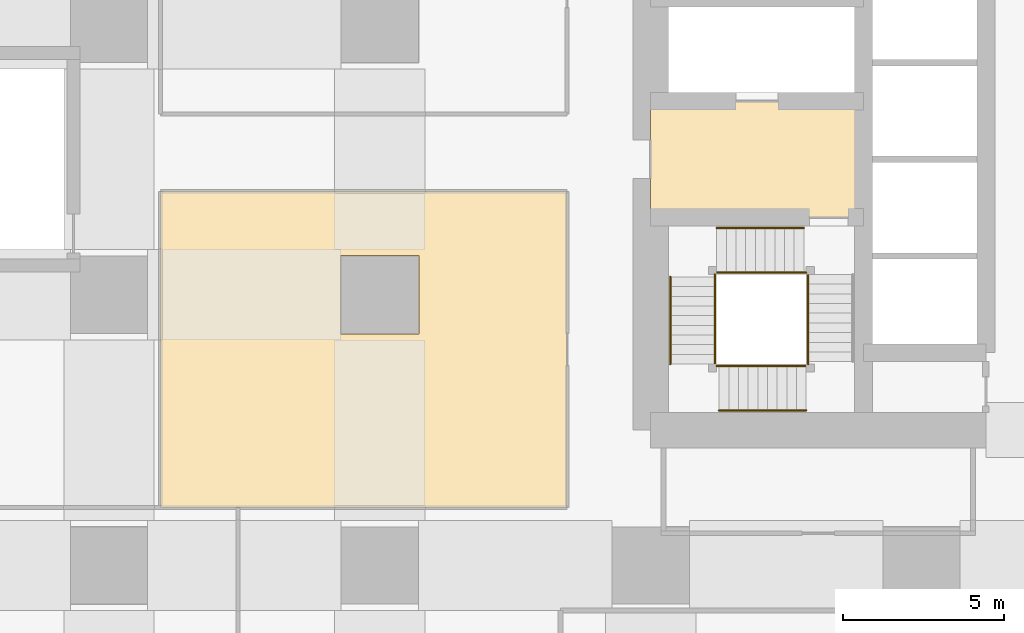
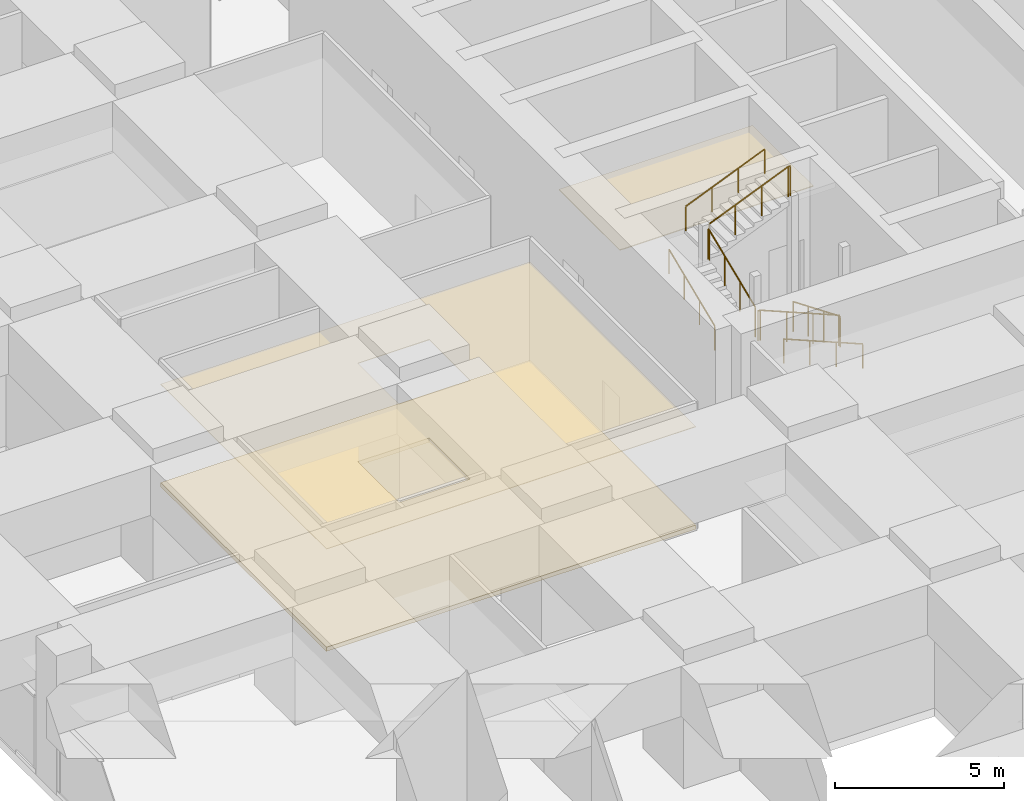
# One storey, part 45 of 52: 11 railings, 3 coverings.
"""IFC4 building model written with IfcOpenShell, lengths in metres."""

from ifc_helpers import new_model, si_unit, direction, frame, origin, origin_2d, place, context, subcontext, project, spatial, polyline, circle, outline, extrude, material, layer, layer_set, type_object, element, save


model = new_model("IFC4")

# Units and contexts
model_context = context("Model", 3, precision=1e-05, world=origin(), true_north=direction((0.0, 1.0)))
body_context = subcontext(model_context, "Body", "Model", "MODEL_VIEW")
ifc_project = project(units=[si_unit("LENGTHUNIT", "METRE"), si_unit("AREAUNIT", "SQUARE_METRE"), si_unit("VOLUMEUNIT", "CUBIC_METRE"), si_unit("PLANEANGLEUNIT", "RADIAN"), si_unit("MASSUNIT", "GRAM", prefix="KILO")], contexts=[model_context])

# Site, building, storey
site_placement = place(None, origin())
site = spatial("IfcSite", under=ifc_project, at=site_placement, CompositionType="ELEMENT")
building_placement = place(site_placement, origin())
building = spatial("IfcBuilding", under=site, at=building_placement, Name="Rekha Terrace Tower", CompositionType="ELEMENT")
storey_placement = place(building_placement, frame((0.0, 0.0, 20.39990234375)))
storey = spatial("IfcBuildingStorey", under=building, at=storey_placement, Name="L04", CompositionType="ELEMENT", Elevation=20.39990234375)

# Coverings
ifc_material_1 = material(Name="Mineral fibre tile in exposed grid", Category="finish")
ifc_layer_1 = layer(ifc_material_1, 0.02001953125)
ifc_layer_set_1 = layer_set([ifc_layer_1], Name="Mineral fibre tile in exposed grid")
covering_type_1 = type_object("IfcCoveringType", Name="CL1 600x1200 office grid ceiling", PredefinedType="CEILING", material=ifc_layer_set_1)
covering_1_placement = place(storey_placement, frame((0.0, 0.0, 3.68017578125)))
element("IfcCovering", 1, at=covering_1_placement, inside=storey, type_object=covering_type_1, Name="Ceiling L04-07", PredefinedType="CEILING", context=body_context, shape_type="SweptSolid", body=[
    extrude(outline(polyline([(22.60009765625, 18.60009765625), (22.60009765625, 28.39990234375), (10.0, 28.39990234375), (10.0, 18.60009765625), (22.60009765625, 18.60009765625)]), holes=[polyline([(15.5849609375, 23.985107421875), (15.5849609375, 26.4150390625), (18.014892578125, 26.4150390625), (18.014892578125, 23.985107421875), (15.5849609375, 23.985107421875)])]), origin(), (0.0, 0.0, 1.0), 0.02001953125),
])
ifc_material_2 = material(Name="Powder-coated aluminium pan", Category="aluminium")
ifc_layer_2 = layer(ifc_material_2, 0.030029296875)
ifc_layer_set_2 = layer_set([ifc_layer_2], Name="Powder-coated aluminium pan")
covering_type_2 = type_object("IfcCoveringType", Name="CL3 300x1200 metal pan ceiling", PredefinedType="CEILING", material=ifc_layer_set_2)
covering_2_placement = place(storey_placement, frame((0.0, 0.0, 3.670166015625)))
element("IfcCovering", 2, at=covering_2_placement, inside=storey, type_object=covering_type_2, Name="Ceiling L04-FLB1", PredefinedType="CEILING", context=body_context, shape_type="SweptSolid", body=[
    extrude(outline(polyline([(31.800048828125, 31.199951171875), (25.199951171875, 31.199951171875), (25.199951171875, 27.60009765625), (31.800048828125, 27.60009765625), (31.800048828125, 31.199951171875)])), origin(), (0.0, 0.0, 1.0), 0.030029296875),
])

# Railings
ifc_material_3 = material(Name="Stainless steel balustrade", Category="steel")
railing_type_1 = type_object("IfcRailingType", Name="GR1 1100 stair guard", PredefinedType="GUARDRAIL", material=ifc_material_3)
railing_1_placement = place(storey_placement, frame((30.0849609375, 25.824951171875, 0.125)))
element("IfcRailing", 3, at=railing_1_placement, inside=storey, type_object=railing_type_1, Name="Guard ST1 L04 flight 1", PredefinedType="GUARDRAIL", context=body_context, shape_type="SweptSolid", body=[
    extrude(circle(Radius=0.02392578125, at=origin_2d()), frame((0.0, 0.0, 1.076171875), z_axis=(0.0, -0.923074453586, 0.384621311341), x_axis=(1.0, 0.0, 0.0)), (0.0, 0.0, 1.0), 2.925048828125),
    extrude(circle(Radius=0.02099609375, at=origin_2d()), origin(), (0.0, 0.0, 1.0), 1.052001953125),
    extrude(circle(Radius=0.02099609375, at=origin_2d()), frame((0.0, -0.89990234375, 0.375)), (0.0, 0.0, 1.0), 1.052001953125),
    extrude(circle(Radius=0.02099609375, at=origin_2d()), frame((0.0, -1.800048828125, 0.75)), (0.0, 0.0, 1.0), 1.052001953125),
    extrude(circle(Radius=0.02099609375, at=origin_2d()), frame((0.0, -2.699951171875, 1.125)), (0.0, 0.0, 1.0), 1.052001953125),
])
railing_2_placement = place(storey_placement, frame((30.02490234375, 22.989990234375, 1.375)))
element("IfcRailing", 4, at=railing_2_placement, inside=storey, type_object=railing_type_1, Name="Guard ST1 L04 flight 2", PredefinedType="GUARDRAIL", context=body_context, shape_type="SweptSolid", body=[
    extrude(circle(Radius=0.02392578125, at=origin_2d()), frame((0.0, 0.0, 1.076171875), z_axis=(-0.923074453586, 0.0, 0.384621311341), x_axis=(0.0, -1.0, 0.0)), (0.0, 0.0, 1.0), 2.925048828125),
    extrude(circle(Radius=0.02099609375, at=origin_2d()), origin(), (0.0, 0.0, 1.0), 1.052001953125),
    extrude(circle(Radius=0.02099609375, at=origin_2d()), frame((-0.89990234375, 0.0, 0.375)), (0.0, 0.0, 1.0), 1.052001953125),
    extrude(circle(Radius=0.02099609375, at=origin_2d()), frame((-1.800048828125, 0.0, 0.75)), (0.0, 0.0, 1.0), 1.052001953125),
    extrude(circle(Radius=0.02099609375, at=origin_2d()), frame((-2.699951171875, 0.0, 1.125)), (0.0, 0.0, 1.0), 1.052001953125),
])
railing_3_placement = place(storey_placement, frame((27.18994140625, 23.050048828125, 2.625)))
element("IfcRailing", 5, at=railing_3_placement, inside=storey, type_object=railing_type_1, Name="Guard ST1 L04 flight 3", PredefinedType="GUARDRAIL", context=body_context, shape_type="SweptSolid", body=[
    extrude(circle(Radius=0.02392578125, at=origin_2d()), frame((0.0, 0.0, 1.076171875), z_axis=(0.0, 0.923074453586, 0.384621311341), x_axis=(-1.0, 0.0, 0.0)), (0.0, 0.0, 1.0), 2.925048828125),
    extrude(circle(Radius=0.02099609375, at=origin_2d()), origin(), (0.0, 0.0, 1.0), 1.052001953125),
    extrude(circle(Radius=0.02099609375, at=origin_2d()), frame((0.0, 0.89990234375, 0.375)), (0.0, 0.0, 1.0), 1.052001953125),
    extrude(circle(Radius=0.02099609375, at=origin_2d()), frame((0.0, 1.800048828125, 0.75)), (0.0, 0.0, 1.0), 1.052001953125),
    extrude(circle(Radius=0.02099609375, at=origin_2d()), frame((0.0, 2.699951171875, 1.125)), (0.0, 0.0, 1.0), 1.052001953125),
])
railing_4_placement = place(storey_placement, frame((27.25, 25.885009765625, 3.875)))
element("IfcRailing", 6, at=railing_4_placement, inside=storey, type_object=railing_type_1, Name="Guard ST1 L04 flight 4", PredefinedType="GUARDRAIL", context=body_context, shape_type="SweptSolid", body=[
    extrude(circle(Radius=0.02392578125, at=origin_2d()), frame((0.0, 0.0, 1.076171875), z_axis=(0.923074453586, 0.0, 0.384621311341), x_axis=(0.0, 1.0, 0.0)), (0.0, 0.0, 1.0), 2.925048828125),
    extrude(circle(Radius=0.02099609375, at=origin_2d()), origin(), (0.0, 0.0, 1.0), 1.052001953125),
    extrude(circle(Radius=0.02099609375, at=origin_2d()), frame((0.89990234375, 0.0, 0.375)), (0.0, 0.0, 1.0), 1.052001953125),
    extrude(circle(Radius=0.02099609375, at=origin_2d()), frame((1.800048828125, 0.0, 0.75)), (0.0, 0.0, 1.0), 1.052001953125),
    extrude(circle(Radius=0.02099609375, at=origin_2d()), frame((2.699951171875, 0.0, 1.125)), (0.0, 0.0, 1.0), 1.052001953125),
])
railing_5_placement = place(storey_placement, frame((30.0849609375, 23.125, 1.25)))
element("IfcRailing", 7, at=railing_5_placement, inside=storey, type_object=railing_type_1, Name="Guard ST1 L04 landing 1", PredefinedType="GUARDRAIL", context=body_context, shape_type="SweptSolid", body=[
    extrude(circle(Radius=0.02392578125, at=origin_2d()), frame((0.0, 0.0, 1.076171875), z_axis=(0.0, -1.0, 0.0), x_axis=(1.0, 0.0, 0.0)), (0.0, 0.0, 1.0), 0.074951171875),
    extrude(circle(Radius=0.02099609375, at=origin_2d()), origin(), (0.0, 0.0, 1.0), 1.052001953125),
    extrude(circle(Radius=0.02099609375, at=origin_2d()), frame((0.0, -0.074951171875, 0.0)), (0.0, 0.0, 1.0), 1.052001953125),
])
railing_6_placement = place(storey_placement, frame((27.324951171875, 22.989990234375, 2.5)))
element("IfcRailing", 8, at=railing_6_placement, inside=storey, type_object=railing_type_1, Name="Guard ST1 L04 landing 2", PredefinedType="GUARDRAIL", context=body_context, shape_type="SweptSolid", body=[
    extrude(circle(Radius=0.02392578125, at=origin_2d()), frame((0.0, 0.0, 1.076171875), z_axis=(-1.0, 0.0, 0.0), x_axis=(0.0, -1.0, 0.0)), (0.0, 0.0, 1.0), 0.074951171875),
    extrude(circle(Radius=0.02099609375, at=origin_2d()), origin(), (0.0, 0.0, 1.0), 1.052001953125),
    extrude(circle(Radius=0.02099609375, at=origin_2d()), frame((-0.074951171875, 0.0, 0.0)), (0.0, 0.0, 1.0), 1.052001953125),
])
railing_7_placement = place(storey_placement, frame((27.18994140625, 25.824951171875, 3.75)))
element("IfcRailing", 9, at=railing_7_placement, inside=storey, type_object=railing_type_1, Name="Guard ST1 L04 landing 3", PredefinedType="GUARDRAIL", context=body_context, shape_type="SweptSolid", body=[
    extrude(circle(Radius=0.02392578125, at=origin_2d()), frame((0.0, 0.0, 1.076171875), z_axis=(0.0, -1.0, 0.0), x_axis=(1.0, 0.0, 0.0)), (0.0, 0.0, 1.0), 0.074951171875),
    extrude(circle(Radius=0.02099609375, at=origin_2d()), origin(), (0.0, 0.0, 1.0), 1.052001953125),
    extrude(circle(Radius=0.02099609375, at=origin_2d()), frame((0.0, -0.074951171875, 0.0)), (0.0, 0.0, 1.0), 1.052001953125),
])
railing_8_placement = place(storey_placement, frame((30.02490234375, 25.885009765625, 5.0)))
element("IfcRailing", 10, at=railing_8_placement, inside=storey, type_object=railing_type_1, Name="Guard ST1 L04 landing 4", PredefinedType="GUARDRAIL", context=body_context, shape_type="SweptSolid", body=[
    extrude(circle(Radius=0.02392578125, at=origin_2d()), frame((0.0, 0.0, 1.076171875), z_axis=(-1.0, 0.0, 0.0), x_axis=(0.0, -1.0, 0.0)), (0.0, 0.0, 1.0), 0.074951171875),
    extrude(circle(Radius=0.02099609375, at=origin_2d()), origin(), (0.0, 0.0, 1.0), 1.052001953125),
    extrude(circle(Radius=0.02099609375, at=origin_2d()), frame((-0.074951171875, 0.0, 0.0)), (0.0, 0.0, 1.0), 1.052001953125),
])
ifc_material_4 = material(Name="Stainless steel tube", Category="steel")
railing_type_2 = type_object("IfcRailingType", Name="HR1 900 stair handrail", PredefinedType="HANDRAIL", material=ifc_material_4)
railing_9_placement = place(storey_placement, frame((30.02490234375, 21.610107421875, 1.375)))
element("IfcRailing", 11, at=railing_9_placement, inside=storey, type_object=railing_type_2, Name="Handrail ST1 L04 flight 2", PredefinedType="HANDRAIL", context=body_context, shape_type="SweptSolid", body=[
    extrude(circle(Radius=0.02392578125, at=origin_2d()), frame((0.0, 0.0, 0.8759765625), z_axis=(-0.923074453586, 0.0, 0.384621311341), x_axis=(0.0, -1.0, 0.0)), (0.0, 0.0, 1.0), 2.925048828125),
    extrude(circle(Radius=0.02099609375, at=origin_2d()), origin(), (0.0, 0.0, 1.0), 0.851806640625),
    extrude(circle(Radius=0.02099609375, at=origin_2d()), frame((-0.89990234375, 0.0, 0.375)), (0.0, 0.0, 1.0), 0.851806640625),
    extrude(circle(Radius=0.02099609375, at=origin_2d()), frame((-1.800048828125, 0.0, 0.75)), (0.0, 0.0, 1.0), 0.851806640625),
    extrude(circle(Radius=0.02099609375, at=origin_2d()), frame((-2.699951171875, 0.0, 1.125)), (0.0, 0.0, 1.0), 0.851806640625),
])
railing_10_placement = place(storey_placement, frame((25.81005859375, 23.050048828125, 2.625)))
element("IfcRailing", 12, at=railing_10_placement, inside=storey, type_object=railing_type_2, Name="Handrail ST1 L04 flight 3", PredefinedType="HANDRAIL", context=body_context, shape_type="SweptSolid", body=[
    extrude(circle(Radius=0.02392578125, at=origin_2d()), frame((0.0, 0.0, 0.8759765625), z_axis=(0.0, 0.923074453586, 0.384621311341), x_axis=(-1.0, 0.0, 0.0)), (0.0, 0.0, 1.0), 2.925048828125),
    extrude(circle(Radius=0.02099609375, at=origin_2d()), origin(), (0.0, 0.0, 1.0), 0.851806640625),
    extrude(circle(Radius=0.02099609375, at=origin_2d()), frame((0.0, 0.89990234375, 0.375)), (0.0, 0.0, 1.0), 0.851806640625),
    extrude(circle(Radius=0.02099609375, at=origin_2d()), frame((0.0, 1.800048828125, 0.75)), (0.0, 0.0, 1.0), 0.851806640625),
    extrude(circle(Radius=0.02099609375, at=origin_2d()), frame((0.0, 2.699951171875, 1.125)), (0.0, 0.0, 1.0), 0.851806640625),
])
railing_11_placement = place(storey_placement, frame((27.25, 27.264892578125, 3.875)))
element("IfcRailing", 13, at=railing_11_placement, inside=storey, type_object=railing_type_2, Name="Handrail ST1 L04 flight 4", PredefinedType="HANDRAIL", context=body_context, shape_type="SweptSolid", body=[
    extrude(circle(Radius=0.02392578125, at=origin_2d()), frame((0.0, 0.0, 0.8759765625), z_axis=(0.923074453586, 0.0, 0.384621311341), x_axis=(0.0, 1.0, 0.0)), (0.0, 0.0, 1.0), 2.925048828125),
    extrude(circle(Radius=0.02099609375, at=origin_2d()), origin(), (0.0, 0.0, 1.0), 0.851806640625),
    extrude(circle(Radius=0.02099609375, at=origin_2d()), frame((0.89990234375, 0.0, 0.375)), (0.0, 0.0, 1.0), 0.851806640625),
    extrude(circle(Radius=0.02099609375, at=origin_2d()), frame((1.800048828125, 0.0, 0.75)), (0.0, 0.0, 1.0), 0.851806640625),
    extrude(circle(Radius=0.02099609375, at=origin_2d()), frame((2.699951171875, 0.0, 1.125)), (0.0, 0.0, 1.0), 0.851806640625),
])

# Covering
ifc_material_5 = material(Name="Calcium sulphate panels on steel pedestals", Category="steel")
ifc_layer_3 = layer(ifc_material_5, 0.14990234375)
ifc_layer_set_3 = layer_set([ifc_layer_3], Name="Calcium sulphate panels on steel pedestals")
covering_type_3 = type_object("IfcCoveringType", Name="RF1 150 raised access floor", PredefinedType="FLOORING", material=ifc_layer_set_3)
covering_3_placement = place(storey_placement, origin())
element("IfcCovering", 14, at=covering_3_placement, inside=storey, type_object=covering_type_3, Name="Raised floor L04-07", PredefinedType="FLOORING", context=body_context, shape_type="SweptSolid", body=[
    extrude(outline(polyline([(22.60009765625, 18.60009765625), (22.60009765625, 28.39990234375), (10.0, 28.39990234375), (10.0, 18.60009765625), (22.60009765625, 18.60009765625)]), holes=[polyline([(15.5849609375, 23.985107421875), (15.5849609375, 26.4150390625), (18.014892578125, 26.4150390625), (18.014892578125, 23.985107421875), (15.5849609375, 23.985107421875)])]), origin(), (0.0, 0.0, 1.0), 0.150146484375),
])

save(model, "model.ifc")
